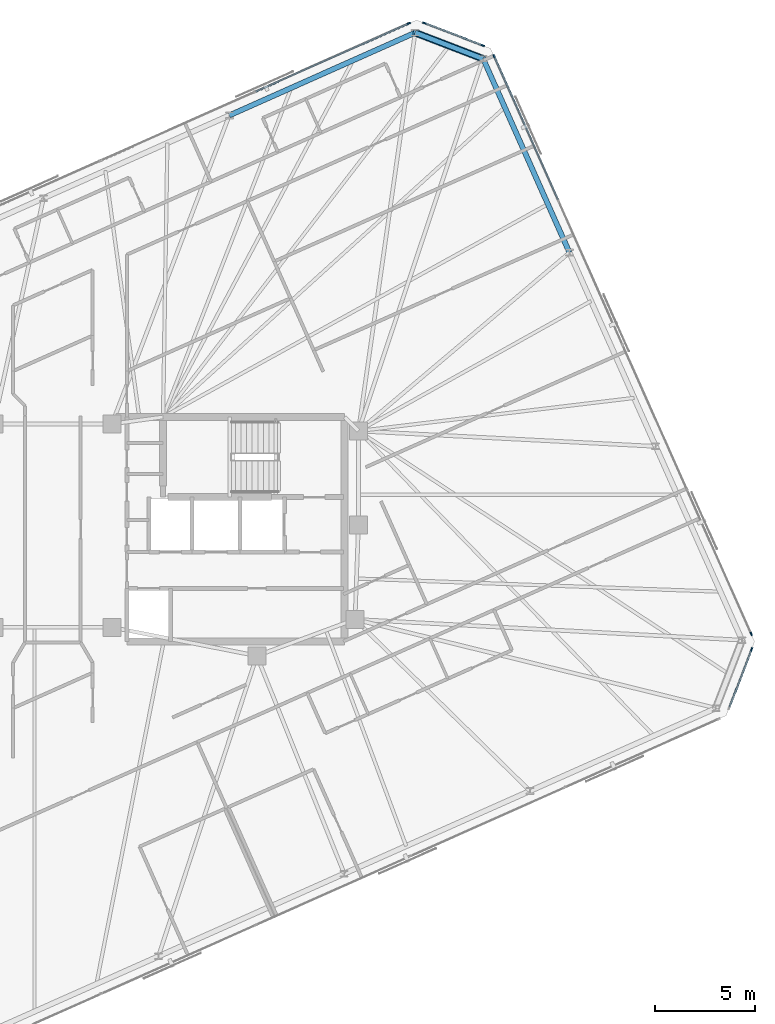
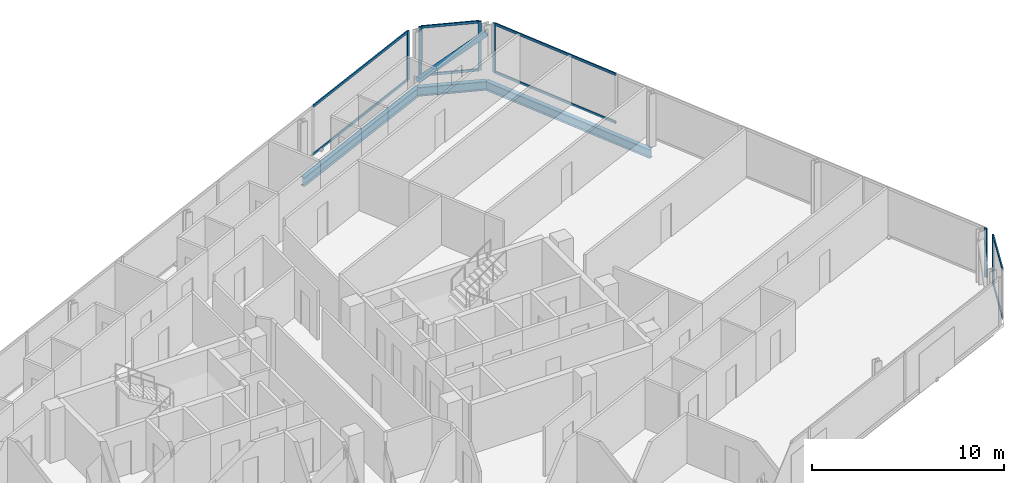
# One storey, part 11 of 19: 15 members, 3 beams, 4 elements without a shape of their own.
"""IFC4 building model written with IfcOpenShell, lengths in metres."""

from ifc_helpers import new_model, si_unit, direction, frame, origin, origin_2d, place, context, subcontext, project, spatial, rectangle, hollow_circle, i_section, extrude, material, material_profile, profile_set, type_object, element, aggregate, save


model = new_model("IFC4")

# Units and contexts
model_context = context("Model", 3, precision=1e-05, world=origin(), true_north=direction((0.0, 1.0)))
body_context = subcontext(model_context, "Body", "Model", "MODEL_VIEW")
ifc_project = project(units=[si_unit("LENGTHUNIT", "METRE"), si_unit("AREAUNIT", "SQUARE_METRE"), si_unit("VOLUMEUNIT", "CUBIC_METRE"), si_unit("PLANEANGLEUNIT", "RADIAN"), si_unit("MASSUNIT", "GRAM", prefix="KILO")], contexts=[model_context])

# Site, building, storey
site_placement = place(None, origin())
site = spatial("IfcSite", under=ifc_project, at=site_placement, CompositionType="ELEMENT")
building_placement = place(site_placement, origin())
building = spatial("IfcBuilding", under=site, at=building_placement, Name="Menara Jurai Vektor", CompositionType="ELEMENT")
storey_placement = place(building_placement, frame((0.0, 0.0, 265.550048828125)))
storey = spatial("IfcBuildingStorey", under=building, at=storey_placement, Name="L71", CompositionType="ELEMENT", Elevation=265.550048828125)

# Curtain wall, member
ifc_material_1 = material(Name="Anodised Pale Aluminium & Low-E Double Glazing", Category="aluminium")
curtain_wall_type = type_object("IfcCurtainWallType", Name="CW-BLK5", PredefinedType="NOTDEFINED", material=ifc_material_1)
curtain_wall_1_placement = place(storey_placement, origin())
curtain_wall_1 = element("IfcCurtainWall", 1, at=curtain_wall_1_placement, inside=storey, type_object=curtain_wall_type, Name="Unitised Curtain Wall L71 F02", PredefinedType="NOTDEFINED")
ifc_material_2 = material(Name="Anodised Pale Aluminium Mullion", Category="aluminium")
ifc_material_profile_1 = material_profile(ifc_material_2, rectangle(XDim=0.074951171875, YDim=0.175048828125, at=origin_2d()), Name="ALU MUL 75x175")
ifc_profile_set_1 = profile_set([ifc_material_profile_1], Name="Anodised Pale Aluminium Mullion")
member_type_1 = type_object("IfcMemberType", Name="CW-BLK5-MUL", PredefinedType="MULLION", material=ifc_profile_set_1)
member_1_placement = place(storey_placement, frame((34.87548828125, -5.997314453125, 0.0), z_axis=(0.0, 0.0, 1.0), x_axis=(-0.933578193639, 0.358373766287, 0.0)))
member_1 = element("IfcMember", 2, at=member_1_placement, type_object=member_type_1, Name="CW-05 mullion 2", PredefinedType="MULLION", context=body_context, shape_type="SweptSolid", body=[
    extrude(rectangle(XDim=0.074951171875, YDim=0.175048828125, at=origin_2d()), origin(), (0.0, 0.0, 1.0), 3.125),
])

# Curtain wall, members
curtain_wall_2_placement = place(storey_placement, origin())
curtain_wall_2 = element("IfcCurtainWall", 3, at=curtain_wall_2_placement, inside=storey, type_object=curtain_wall_type, Name="Unitised Curtain Wall L71 F03", PredefinedType="NOTDEFINED")
member_2_placement = place(storey_placement, frame((34.85546875, -5.22607421875, 0.0), z_axis=(0.0, 0.0, 1.0), x_axis=(-0.913546127706, -0.406735138086, 0.0)))
member_2 = element("IfcMember", 4, at=member_2_placement, type_object=member_type_1, Name="CW-05 mullion 1", PredefinedType="MULLION", context=body_context, shape_type="SweptSolid", body=[
    extrude(rectangle(XDim=0.074951171875, YDim=0.175048828125, at=origin_2d()), origin(), (0.0, 0.0, 1.0), 3.125),
])
member_3_placement = place(storey_placement, frame((22.016845703125, 23.610107421875, 0.0), z_axis=(0.0, 0.0, 1.0), x_axis=(-0.913546127706, -0.406735138086, 0.0)))
member_3 = element("IfcMember", 5, at=member_3_placement, type_object=member_type_1, Name="CW-05 mullion 5", PredefinedType="MULLION", context=body_context, shape_type="SweptSolid", body=[
    extrude(rectangle(XDim=0.074951171875, YDim=0.175048828125, at=origin_2d()), origin(), (0.0, 0.0, 1.0), 3.125),
])

curtain_wall_3_placement = place(storey_placement, origin())
curtain_wall_3 = element("IfcCurtainWall", 6, at=curtain_wall_3_placement, inside=storey, type_object=curtain_wall_type, Name="Unitised Curtain Wall L71 F04", PredefinedType="NOTDEFINED")
member_4_placement = place(storey_placement, frame((21.45703125, 24.14111328125, 0.0), z_axis=(0.0, 0.0, 1.0), x_axis=(-0.358373766287, -0.933578193639, 0.0)))
member_4 = element("IfcMember", 7, at=member_4_placement, type_object=member_type_1, Name="CW-05 mullion 1", PredefinedType="MULLION", context=body_context, shape_type="SweptSolid", body=[
    extrude(rectangle(XDim=0.074951171875, YDim=0.175048828125, at=origin_2d()), origin(), (0.0, 0.0, 1.0), 3.125),
])
member_5_placement = place(storey_placement, frame((18.539794921875, 25.2607421875, 0.0), z_axis=(0.0, 0.0, 1.0), x_axis=(-0.358373766287, -0.933578193639, 0.0)))
member_5 = element("IfcMember", 8, at=member_5_placement, type_object=member_type_1, Name="CW-05 mullion 2", PredefinedType="MULLION", context=body_context, shape_type="SweptSolid", body=[
    extrude(rectangle(XDim=0.074951171875, YDim=0.175048828125, at=origin_2d()), origin(), (0.0, 0.0, 1.0), 3.125),
])

# Curtain wall, member
curtain_wall_4_placement = place(storey_placement, origin())
curtain_wall_4 = element("IfcCurtainWall", 9, at=curtain_wall_4_placement, inside=storey, type_object=curtain_wall_type, Name="Unitised Curtain Wall L71 F05", PredefinedType="NOTDEFINED")
member_6_placement = place(storey_placement, frame((17.768798828125, 25.24072265625, 0.0), z_axis=(0.0, 0.0, 1.0), x_axis=(0.406735498684, -0.913545967158, 0.0)))
member_6 = element("IfcMember", 10, at=member_6_placement, type_object=member_type_1, Name="CW-05 mullion 1", PredefinedType="MULLION", context=body_context, shape_type="SweptSolid", body=[
    extrude(rectangle(XDim=0.074951171875, YDim=0.175048828125, at=origin_2d()), origin(), (0.0, 0.0, 1.0), 3.125),
])

# Member
ifc_material_3 = material(Name="Anodised Pale Aluminium Transom", Category="aluminium")
ifc_material_profile_2 = material_profile(ifc_material_3, rectangle(XDim=0.074951171875, YDim=0.155029296875, at=origin_2d()), Name="ALU TRN 75x155")
ifc_profile_set_2 = profile_set([ifc_material_profile_2], Name="Anodised Pale Aluminium Transom")
member_type_2 = type_object("IfcMemberType", Name="CW-BLK5-TRN", PredefinedType="USERDEFINED", material=ifc_profile_set_2)
member_7_placement = place(storey_placement, frame((33.769287109375, -8.87939453125, 0.037353515625), z_axis=(0.358324523823, 0.933597094911, 0.0), x_axis=(-0.933597094911, 0.358324523823, 0.0)))
member_7 = element("IfcMember", 11, at=member_7_placement, type_object=member_type_2, Name="CW-05 transom 1.1", ObjectType="TRANSOM", PredefinedType="USERDEFINED", context=body_context, shape_type="SweptSolid", body=[
    extrude(rectangle(XDim=0.074951171875, YDim=0.155029296875, at=origin_2d()), origin(), (0.0, 0.0, 1.0), 3.049560546875),
])

member_8_placement = place(storey_placement, frame((33.769287109375, -8.87939453125, 3.08740234375), z_axis=(0.358324523823, 0.933597094911, 0.0), x_axis=(-0.933597094911, 0.358324523823, 0.0)))
member_8 = element("IfcMember", 12, at=member_8_placement, type_object=member_type_2, Name="CW-05 transom 1.2", ObjectType="TRANSOM", PredefinedType="USERDEFINED", context=body_context, shape_type="SweptSolid", body=[
    extrude(rectangle(XDim=0.074951171875, YDim=0.155029296875, at=origin_2d()), origin(), (0.0, 0.0, 1.0), 3.049560546875),
])

aggregate(curtain_wall_1, [member_1, member_7, member_8])

member_9_placement = place(storey_placement, frame((25.20361328125, 16.452392578125, 0.037353515625), z_axis=(-0.406751345283, 0.913538911656, 0.0), x_axis=(-0.913538911656, -0.406751345283, 0.0)))
member_9 = element("IfcMember", 13, at=member_9_placement, type_object=member_type_2, Name="CW-05 transom 4.1", ObjectType="TRANSOM", PredefinedType="USERDEFINED", context=body_context, shape_type="SweptSolid", body=[
    extrude(rectangle(XDim=0.074951171875, YDim=0.155029296875, at=origin_2d()), origin(), (0.0, 0.0, 1.0), 7.79736328125),
])

member_10_placement = place(storey_placement, frame((25.20361328125, 16.452392578125, 3.08740234375), z_axis=(-0.406751345283, 0.913538911656, 0.0), x_axis=(-0.913538911656, -0.406751345283, 0.0)))
member_10 = element("IfcMember", 14, at=member_10_placement, type_object=member_type_2, Name="CW-05 transom 4.2", ObjectType="TRANSOM", PredefinedType="USERDEFINED", context=body_context, shape_type="SweptSolid", body=[
    extrude(rectangle(XDim=0.074951171875, YDim=0.155029296875, at=origin_2d()), origin(), (0.0, 0.0, 1.0), 7.79736328125),
])

aggregate(curtain_wall_2, [member_2, member_3, member_9, member_10])

member_11_placement = place(storey_placement, frame((21.422119140625, 24.154541015625, 0.037353515625), z_axis=(-0.933597094911, 0.358324523823, 0.0), x_axis=(-0.358324523823, -0.933597094911, 0.0)))
member_11 = element("IfcMember", 15, at=member_11_placement, type_object=member_type_2, Name="CW-05 transom 1.1", ObjectType="TRANSOM", PredefinedType="USERDEFINED", context=body_context, shape_type="SweptSolid", body=[
    extrude(rectangle(XDim=0.074951171875, YDim=0.155029296875, at=origin_2d()), origin(), (0.0, 0.0, 1.0), 3.049560546875),
])

member_12_placement = place(storey_placement, frame((21.422119140625, 24.154541015625, 3.08740234375), z_axis=(-0.933597094911, 0.358324523823, 0.0), x_axis=(-0.358324523823, -0.933597094911, 0.0)))
member_12 = element("IfcMember", 16, at=member_12_placement, type_object=member_type_2, Name="CW-05 transom 1.2", ObjectType="TRANSOM", PredefinedType="USERDEFINED", context=body_context, shape_type="SweptSolid", body=[
    extrude(rectangle(XDim=0.074951171875, YDim=0.155029296875, at=origin_2d()), origin(), (0.0, 0.0, 1.0), 3.049560546875),
])

aggregate(curtain_wall_3, [member_4, member_5, member_11, member_12])

member_13_placement = place(storey_placement, frame((17.734375, 25.225341796875, 0.037353515625), z_axis=(-0.913549007168, -0.406728670618, 0.0), x_axis=(0.406728670618, -0.913549007168, 0.0)))
member_13 = element("IfcMember", 17, at=member_13_placement, type_object=member_type_2, Name="CW-05 transom 1.1", ObjectType="TRANSOM", PredefinedType="USERDEFINED", context=body_context, shape_type="SweptSolid", body=[
    extrude(rectangle(XDim=0.074951171875, YDim=0.155029296875, at=origin_2d()), origin(), (0.0, 0.0, 1.0), 8.327392578125),
])

member_14_placement = place(storey_placement, frame((17.734375, 25.225341796875, 3.08740234375), z_axis=(-0.913549007168, -0.406728670618, 0.0), x_axis=(0.406728670618, -0.913549007168, 0.0)))
member_14 = element("IfcMember", 18, at=member_14_placement, type_object=member_type_2, Name="CW-05 transom 1.2", ObjectType="TRANSOM", PredefinedType="USERDEFINED", context=body_context, shape_type="SweptSolid", body=[
    extrude(rectangle(XDim=0.074951171875, YDim=0.155029296875, at=origin_2d()), origin(), (0.0, 0.0, 1.0), 8.327392578125),
])

aggregate(curtain_wall_4, [member_6, member_13, member_14])

ifc_material_4 = material(Name="Steel S460", Category="steel")
ifc_material_profile_3 = material_profile(ifc_material_4, hollow_circle(Radius=0.177734375, WallThickness=0.01611328125, at=origin_2d()), Name="CHS 355.6x16")
ifc_profile_set_3 = profile_set([ifc_material_profile_3], Name="Steel S460")
member_type_3 = type_object("IfcMemberType", Name="STR-BR-356", PredefinedType="BRACE", material=ifc_profile_set_3)
member_15_placement = place(storey_placement, frame((18.07958984375, 24.777099609375, 0.14990234375), z_axis=(0.757042028889, -0.2906257681, 0.585170085882), x_axis=(0.358394346877, 0.933570293083, 0.0)))
element("IfcMember", 19, at=member_15_placement, inside=storey, type_object=member_type_3, Name="Exoskeleton Corner Brace L71-2", PredefinedType="BRACE", context=body_context, shape_type="SweptSolid", body=[
    extrude(hollow_circle(Radius=0.177734375, WallThickness=0.01611328125, at=origin_2d()), origin(), (0.0, 0.0, 1.0), 4.48583984375),
])

# Beams
ifc_material_5 = material(Name="Steel S355", Category="steel")
ifc_material_profile_4 = material_profile(ifc_material_5, i_section(OverallWidth=0.260009765625, OverallDepth=0.570068359375, WebThickness=0.013916015625, FlangeThickness=0.02392578125, at=origin_2d()), Name="PG 570x260x145")
ifc_profile_set_4 = profile_set([ifc_material_profile_4], Name="Steel S355")
beam_type = type_object("IfcBeamType", Name="STR-SP-570", PredefinedType="SPANDREL", material=ifc_profile_set_4)
beam_1_placement = place(storey_placement, frame((25.781005859375, 13.80322265625, -0.510009765625), z_axis=(-0.40673543049, 0.91354599752, 0.0), x_axis=(-0.91354599752, -0.40673543049, 0.0)))
element("IfcBeam", 20, at=beam_1_placement, inside=storey, type_object=beam_type, Name="Exoskeleton Spandrel Beam L71-09", PredefinedType="SPANDREL", context=body_context, shape_type="SweptSolid", body=[
    extrude(i_section(OverallWidth=0.260009765625, OverallDepth=0.570068359375, WebThickness=0.013916015625, FlangeThickness=0.02392578125, at=origin_2d()), origin(), (0.0, 0.0, 1.0), 10.585205078125),
])
beam_2_placement = place(storey_placement, frame((21.4755859375, 23.473388671875, -0.510009765625), z_axis=(-0.933570293083, 0.358394346877, 0.0), x_axis=(-0.358394346877, -0.933570293083, 0.0)))
element("IfcBeam", 21, at=beam_2_placement, inside=storey, type_object=beam_type, Name="Exoskeleton Spandrel Beam L71-10", PredefinedType="SPANDREL", context=body_context, shape_type="SweptSolid", body=[
    extrude(i_section(OverallWidth=0.260009765625, OverallDepth=0.570068359375, WebThickness=0.013916015625, FlangeThickness=0.02392578125, at=origin_2d()), origin(), (0.0, 0.0, 1.0), 3.6376953125),
])
beam_3_placement = place(storey_placement, frame((18.07958984375, 24.777099609375, -0.510009765625), z_axis=(-0.913545561407, -0.406736410017, 0.0), x_axis=(0.406736410017, -0.913545561407, 0.0)))
element("IfcBeam", 22, at=beam_3_placement, inside=storey, type_object=beam_type, Name="Exoskeleton Spandrel Beam L71-11", PredefinedType="SPANDREL", context=body_context, shape_type="SweptSolid", body=[
    extrude(i_section(OverallWidth=0.260009765625, OverallDepth=0.570068359375, WebThickness=0.013916015625, FlangeThickness=0.02392578125, at=origin_2d()), origin(), (0.0, 0.0, 1.0), 10.1513671875),
])

save(model, "model.ifc")
